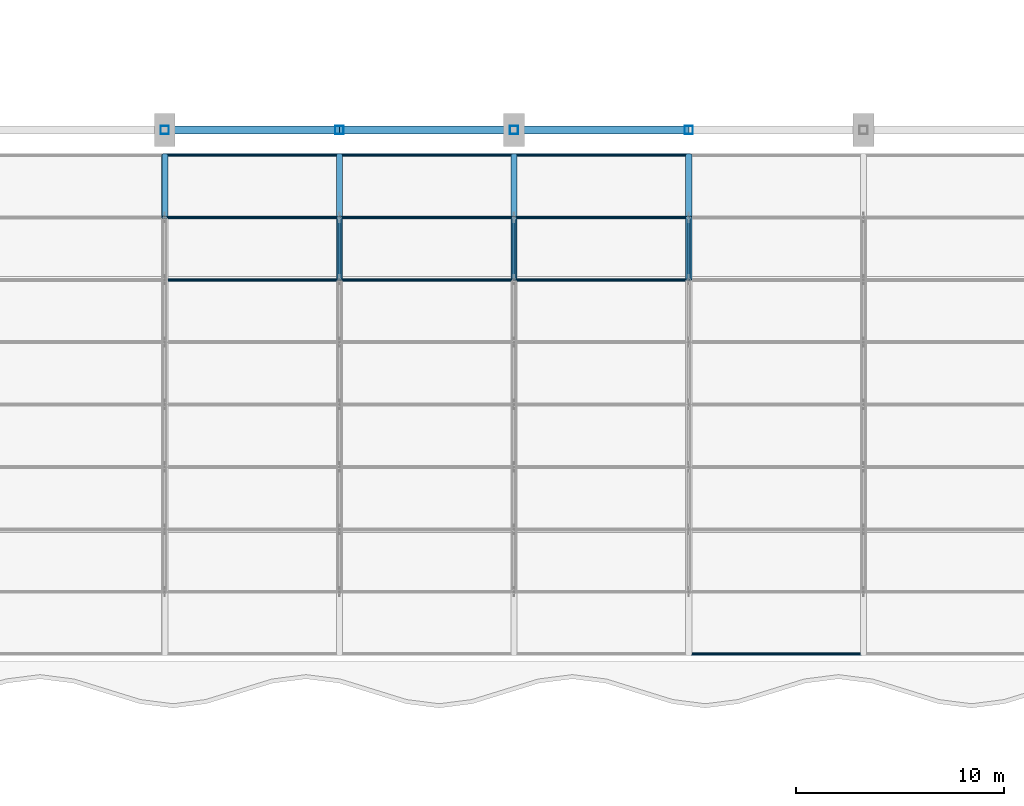
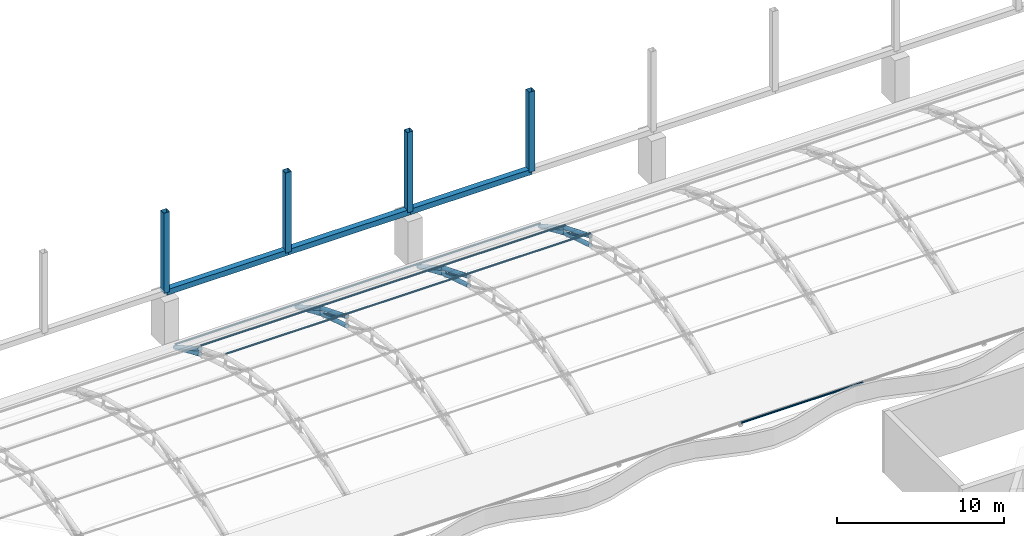
# One storey, part 50 of 163: 34 members.
"""IFC4 building model written with IfcOpenShell, lengths in metres."""

from ifc_helpers import new_model, si_unit, direction, frame, origin, origin_2d, place, context, subcontext, project, spatial, hollow_rectangle, hollow_circle, extrude, material, material_profile, profile_set, type_object, element, save


model = new_model("IFC4")

# Units and contexts
model_context = context("Model", 3, precision=1e-05, world=origin(), true_north=direction((0.0, 1.0)))
body_context = subcontext(model_context, "Body", "Model", "MODEL_VIEW")
ifc_project = project(units=[si_unit("LENGTHUNIT", "METRE"), si_unit("AREAUNIT", "SQUARE_METRE"), si_unit("VOLUMEUNIT", "CUBIC_METRE"), si_unit("PLANEANGLEUNIT", "RADIAN"), si_unit("MASSUNIT", "GRAM", prefix="KILO")], contexts=[model_context])

# Site, building, storey
site_placement = place(None, origin())
site = spatial("IfcSite", under=ifc_project, at=site_placement, CompositionType="ELEMENT")
building_placement = place(site_placement, origin())
building = spatial("IfcBuilding", under=site, at=building_placement, Name="Rain Tree Exposition and Congress Centre", CompositionType="ELEMENT")
storey_placement = place(building_placement, frame((0.0, 0.0, 10.5)))
storey = spatial("IfcBuildingStorey", under=building, at=storey_placement, Name="L02", CompositionType="ELEMENT", Elevation=10.5)

# Members
ifc_material_1 = material(Name="Steel S355J2H", Category="steel")
ifc_material_profile_1 = material_profile(ifc_material_1, hollow_circle(Radius=0.090087890625, WallThickness=0.008056640625, at=origin_2d()), Name="CHS 180x8")
ifc_profile_set_1 = profile_set([ifc_material_profile_1], Name="Steel S355J2H")
member_type_1 = type_object("IfcMemberType", Name="Steel brace member CHS 180x8", PredefinedType="BRACE", material=ifc_profile_set_1)
for number, where, z_axis, x_axis, name in (
    (1, (168.0, 96.60009765625, 1.4423828125), (0.0, -0.880818418444, 0.473454236151), (1.0, 0.0, 0.0), "Roof truss 21 diagonal 6"),
    (2, (176.39990234375, 96.60009765625, 1.4423828125), (0.0, -0.880818418444, 0.473454236151), (1.0, 0.0, 0.0), "Roof truss 22 diagonal 6"),
    (3, (184.800048828125, 96.60009765625, 1.4423828125), (0.0, -0.880818418444, 0.473454236151), (1.0, 0.0, 0.0), "Roof truss 23 diagonal 6"),
):
    element("IfcMember", number, at=place(storey_placement, frame(where, z_axis=z_axis, x_axis=x_axis)), inside=storey, type_object=member_type_1, Name=name, PredefinedType="BRACE", context=body_context, shape_type="SweptSolid", body=[
        extrude(hollow_circle(Radius=0.090087890625, WallThickness=0.008056640625, at=origin_2d()), origin(), (0.0, 0.0, 1.0), 3.406005859375),
    ])
ifc_material_2 = material(Name="Steel S355J2H", Category="steel")
ifc_material_profile_2 = material_profile(ifc_material_2, hollow_circle(Radius=0.14990234375, WallThickness=0.013916015625, at=origin_2d()), Name="CHS 300x14")
ifc_profile_set_2 = profile_set([ifc_material_profile_2], Name="Steel S355J2H")
member_type_2 = type_object("IfcMemberType", Name="Steel chord member CHS 300x14", PredefinedType="CHORD", material=ifc_profile_set_2)
member_1_placement = place(storey_placement, frame((159.60009765625, 96.60009765625, 1.836181640625), z_axis=(0.0, 0.869238262324, -0.494393409455), x_axis=(-1.0, 0.0, 0.0)))
element("IfcMember", 4, at=member_1_placement, inside=storey, type_object=member_type_2, Name="Roof truss 20 top chord 8", PredefinedType="CHORD", context=body_context, shape_type="SweptSolid", body=[
    extrude(hollow_circle(Radius=0.14990234375, WallThickness=0.013916015625, at=origin_2d()), origin(), (0.0, 0.0, 1.0), 3.451416015625),
])
member_2_placement = place(storey_placement, frame((159.60009765625, 96.60009765625, 1.4423828125), z_axis=(0.0, 0.916157334902, -0.40081883402), x_axis=(-1.0, 0.0, 0.0)))
element("IfcMember", 5, at=member_2_placement, inside=storey, type_object=member_type_2, Name="Roof truss 20 bottom chord 8", PredefinedType="CHORD", context=body_context, shape_type="SweptSolid", body=[
    extrude(hollow_circle(Radius=0.14990234375, WallThickness=0.013916015625, at=origin_2d()), origin(), (0.0, 0.0, 1.0), 3.274658203125),
])
member_3_placement = place(storey_placement, frame((168.0, 93.60009765625, 3.054931640625), z_axis=(0.0, 0.926466577122, -0.376377046956), x_axis=(-1.0, 0.0, 0.0)))
element("IfcMember", 6, at=member_3_placement, inside=storey, type_object=member_type_2, Name="Roof truss 21 top chord 7", PredefinedType="CHORD", context=body_context, shape_type="SweptSolid", body=[
    extrude(hollow_circle(Radius=0.14990234375, WallThickness=0.013916015625, at=origin_2d()), origin(), (0.0, 0.0, 1.0), 3.238037109375),
])
member_4_placement = place(storey_placement, frame((168.0, 93.60009765625, 2.3798828125), z_axis=(0.0, 0.954479978035, -0.298274993136), x_axis=(-1.0, 0.0, 0.0)))
element("IfcMember", 7, at=member_4_placement, inside=storey, type_object=member_type_2, Name="Roof truss 21 bottom chord 7", PredefinedType="CHORD", context=body_context, shape_type="SweptSolid", body=[
    extrude(hollow_circle(Radius=0.14990234375, WallThickness=0.013916015625, at=origin_2d()), origin(), (0.0, 0.0, 1.0), 3.14306640625),
])
member_5_placement = place(storey_placement, frame((168.0, 96.60009765625, 1.836181640625), z_axis=(0.0, 0.869238262324, -0.494393409455), x_axis=(-1.0, 0.0, 0.0)))
element("IfcMember", 8, at=member_5_placement, inside=storey, type_object=member_type_2, Name="Roof truss 21 top chord 8", PredefinedType="CHORD", context=body_context, shape_type="SweptSolid", body=[
    extrude(hollow_circle(Radius=0.14990234375, WallThickness=0.013916015625, at=origin_2d()), origin(), (0.0, 0.0, 1.0), 3.451416015625),
])
member_6_placement = place(storey_placement, frame((168.0, 96.60009765625, 1.4423828125), z_axis=(0.0, 0.916157334902, -0.40081883402), x_axis=(-1.0, 0.0, 0.0)))
element("IfcMember", 9, at=member_6_placement, inside=storey, type_object=member_type_2, Name="Roof truss 21 bottom chord 8", PredefinedType="CHORD", context=body_context, shape_type="SweptSolid", body=[
    extrude(hollow_circle(Radius=0.14990234375, WallThickness=0.013916015625, at=origin_2d()), origin(), (0.0, 0.0, 1.0), 3.274658203125),
])
member_7_placement = place(storey_placement, frame((176.39990234375, 93.60009765625, 3.054931640625), z_axis=(0.0, 0.926466577122, -0.376377046956), x_axis=(-1.0, 0.0, 0.0)))
element("IfcMember", 10, at=member_7_placement, inside=storey, type_object=member_type_2, Name="Roof truss 22 top chord 7", PredefinedType="CHORD", context=body_context, shape_type="SweptSolid", body=[
    extrude(hollow_circle(Radius=0.14990234375, WallThickness=0.013916015625, at=origin_2d()), origin(), (0.0, 0.0, 1.0), 3.238037109375),
])
member_8_placement = place(storey_placement, frame((176.39990234375, 93.60009765625, 2.3798828125), z_axis=(0.0, 0.954479978035, -0.298274993136), x_axis=(-1.0, 0.0, 0.0)))
element("IfcMember", 11, at=member_8_placement, inside=storey, type_object=member_type_2, Name="Roof truss 22 bottom chord 7", PredefinedType="CHORD", context=body_context, shape_type="SweptSolid", body=[
    extrude(hollow_circle(Radius=0.14990234375, WallThickness=0.013916015625, at=origin_2d()), origin(), (0.0, 0.0, 1.0), 3.14306640625),
])
member_9_placement = place(storey_placement, frame((176.39990234375, 96.60009765625, 1.836181640625), z_axis=(0.0, 0.869238262324, -0.494393409455), x_axis=(-1.0, 0.0, 0.0)))
element("IfcMember", 12, at=member_9_placement, inside=storey, type_object=member_type_2, Name="Roof truss 22 top chord 8", PredefinedType="CHORD", context=body_context, shape_type="SweptSolid", body=[
    extrude(hollow_circle(Radius=0.14990234375, WallThickness=0.013916015625, at=origin_2d()), origin(), (0.0, 0.0, 1.0), 3.451416015625),
])
member_10_placement = place(storey_placement, frame((176.39990234375, 96.60009765625, 1.4423828125), z_axis=(0.0, 0.916157334902, -0.40081883402), x_axis=(-1.0, 0.0, 0.0)))
element("IfcMember", 13, at=member_10_placement, inside=storey, type_object=member_type_2, Name="Roof truss 22 bottom chord 8", PredefinedType="CHORD", context=body_context, shape_type="SweptSolid", body=[
    extrude(hollow_circle(Radius=0.14990234375, WallThickness=0.013916015625, at=origin_2d()), origin(), (0.0, 0.0, 1.0), 3.274658203125),
])
member_11_placement = place(storey_placement, frame((184.800048828125, 93.60009765625, 3.054931640625), z_axis=(0.0, 0.926466577122, -0.376377046956), x_axis=(-1.0, 0.0, 0.0)))
element("IfcMember", 14, at=member_11_placement, inside=storey, type_object=member_type_2, Name="Roof truss 23 top chord 7", PredefinedType="CHORD", context=body_context, shape_type="SweptSolid", body=[
    extrude(hollow_circle(Radius=0.14990234375, WallThickness=0.013916015625, at=origin_2d()), origin(), (0.0, 0.0, 1.0), 3.238037109375),
])
member_12_placement = place(storey_placement, frame((184.800048828125, 93.60009765625, 2.3798828125), z_axis=(0.0, 0.954479978035, -0.298274993136), x_axis=(-1.0, 0.0, 0.0)))
element("IfcMember", 15, at=member_12_placement, inside=storey, type_object=member_type_2, Name="Roof truss 23 bottom chord 7", PredefinedType="CHORD", context=body_context, shape_type="SweptSolid", body=[
    extrude(hollow_circle(Radius=0.14990234375, WallThickness=0.013916015625, at=origin_2d()), origin(), (0.0, 0.0, 1.0), 3.14306640625),
])
member_13_placement = place(storey_placement, frame((184.800048828125, 96.60009765625, 1.836181640625), z_axis=(0.0, 0.869238262324, -0.494393409455), x_axis=(-1.0, 0.0, 0.0)))
element("IfcMember", 16, at=member_13_placement, inside=storey, type_object=member_type_2, Name="Roof truss 23 top chord 8", PredefinedType="CHORD", context=body_context, shape_type="SweptSolid", body=[
    extrude(hollow_circle(Radius=0.14990234375, WallThickness=0.013916015625, at=origin_2d()), origin(), (0.0, 0.0, 1.0), 3.451416015625),
])
member_14_placement = place(storey_placement, frame((184.800048828125, 96.60009765625, 1.4423828125), z_axis=(0.0, 0.916157334902, -0.40081883402), x_axis=(-1.0, 0.0, 0.0)))
element("IfcMember", 17, at=member_14_placement, inside=storey, type_object=member_type_2, Name="Roof truss 23 bottom chord 8", PredefinedType="CHORD", context=body_context, shape_type="SweptSolid", body=[
    extrude(hollow_circle(Radius=0.14990234375, WallThickness=0.013916015625, at=origin_2d()), origin(), (0.0, 0.0, 1.0), 3.274658203125),
])
ifc_material_3 = material(Name="Steel S355J2H", Category="steel")
ifc_material_profile_3 = material_profile(ifc_material_3, hollow_rectangle(XDim=0.39990234375, YDim=0.39990234375, WallThickness=0.011962890625, at=origin_2d()), Name="RHS 400x400x12")
ifc_profile_set_3 = profile_set([ifc_material_profile_3], Name="Steel S355J2H")
member_type_3 = type_object("IfcMemberType", Name="Steel chord member RHS 400x400x12", PredefinedType="CHORD", material=ifc_profile_set_3)
for number, where, z_axis, x_axis, name in (
    (18, (159.60009765625, 100.800048828125, 3.5), (1.0, 0.0, 0.0), (0.0, 1.0, 0.0), "Eaves chord 1155"),
    (19, (168.0, 100.800048828125, 3.5), (1.0, 0.0, 0.0), (0.0, 1.0, 0.0), "Eaves chord 1156"),
):
    element("IfcMember", number, at=place(storey_placement, frame(where, z_axis=z_axis, x_axis=x_axis)), inside=storey, type_object=member_type_3, Name=name, PredefinedType="CHORD", context=body_context, shape_type="SweptSolid", body=[
        extrude(hollow_rectangle(XDim=0.39990234375, YDim=0.39990234375, WallThickness=0.011962890625, at=origin_2d()), origin(), (0.0, 0.0, 1.0), 8.39990234375),
    ])
member_15_placement = place(storey_placement, frame((176.39990234375, 100.800048828125, 3.5), z_axis=(1.0, 0.0, 0.0), x_axis=(0.0, 1.0, 0.0)))
element("IfcMember", 20, at=member_15_placement, inside=storey, type_object=member_type_3, Name="Eaves chord 1157", PredefinedType="CHORD", context=body_context, shape_type="SweptSolid", body=[
    extrude(hollow_rectangle(XDim=0.39990234375, YDim=0.39990234375, WallThickness=0.011962890625, at=origin_2d()), origin(), (0.0, 0.0, 1.0), 8.400146484375),
])
ifc_material_4 = material(Name="Steel S355J2H", Category="steel")
ifc_material_profile_4 = material_profile(ifc_material_4, hollow_rectangle(XDim=0.39990234375, YDim=0.39990234375, WallThickness=0.011962890625, at=origin_2d()), Name="RHS 400x400x12")
ifc_profile_set_4 = profile_set([ifc_material_profile_4], Name="Steel S355J2H")
member_type_4 = type_object("IfcMemberType", Name="Steel post member RHS 400x400x12", PredefinedType="POST", material=ifc_profile_set_4)
for number, where, z_axis, x_axis, name in (
    (21, (159.60009765625, 100.800048828125, 3.5), (0.0, 0.0, 1.0), (1.0, 0.0, 0.0), "Eaves post 1167"),
    (22, (168.0, 100.800048828125, 3.5), (0.0, 0.0, 1.0), (1.0, 0.0, 0.0), "Eaves post 1168"),
    (23, (176.39990234375, 100.800048828125, 3.5), (0.0, 0.0, 1.0), (1.0, 0.0, 0.0), "Eaves post 1169"),
    (24, (184.800048828125, 100.800048828125, 3.5), (0.0, 0.0, 1.0), (1.0, 0.0, 0.0), "Eaves post 1170"),
):
    element("IfcMember", number, at=place(storey_placement, frame(where, z_axis=z_axis, x_axis=x_axis)), inside=storey, type_object=member_type_4, Name=name, PredefinedType="POST", context=body_context, shape_type="SweptSolid", body=[
        extrude(hollow_rectangle(XDim=0.39990234375, YDim=0.39990234375, WallThickness=0.011962890625, at=origin_2d()), origin(), (0.0, 0.0, 1.0), 5.85009765625),
    ])
ifc_material_5 = material(Name="Steel S355J2H", Category="steel")
ifc_material_profile_5 = material_profile(ifc_material_5, hollow_circle(Radius=0.070068359375, WallThickness=0.006103515625, at=origin_2d()), Name="CHS 140x6")
ifc_profile_set_5 = profile_set([ifc_material_profile_5], Name="Steel S355J2H")
member_type_5 = type_object("IfcMemberType", Name="Steel purlin member CHS 140x6", PredefinedType="PURLIN", material=ifc_profile_set_5)
for number, where, z_axis, x_axis, name in (
    (25, (184.800048828125, 75.60009765625, 0.35009765625), (1.0, 0.0, 0.0), (0.0, 1.0, 0.0), "Roof purlin 1.23"),
    (26, (159.60009765625, 93.60009765625, 3.27490234375), (1.0, 0.0, 0.0), (0.0, 1.0, 0.0), "Roof purlin 7.20"),
    (27, (168.0, 93.60009765625, 3.27490234375), (1.0, 0.0, 0.0), (0.0, 1.0, 0.0), "Roof purlin 7.21"),
):
    element("IfcMember", number, at=place(storey_placement, frame(where, z_axis=z_axis, x_axis=x_axis)), inside=storey, type_object=member_type_5, Name=name, PredefinedType="PURLIN", context=body_context, shape_type="SweptSolid", body=[
        extrude(hollow_circle(Radius=0.070068359375, WallThickness=0.006103515625, at=origin_2d()), origin(), (0.0, 0.0, 1.0), 8.39990234375),
    ])
member_16_placement = place(storey_placement, frame((176.39990234375, 93.60009765625, 3.27490234375), z_axis=(1.0, 0.0, 0.0), x_axis=(0.0, 1.0, 0.0)))
element("IfcMember", 28, at=member_16_placement, inside=storey, type_object=member_type_5, Name="Roof purlin 7.22", PredefinedType="PURLIN", context=body_context, shape_type="SweptSolid", body=[
    extrude(hollow_circle(Radius=0.070068359375, WallThickness=0.006103515625, at=origin_2d()), origin(), (0.0, 0.0, 1.0), 8.400146484375),
])
for number, where, z_axis, x_axis, name in (
    (29, (159.60009765625, 96.60009765625, 2.056396484375), (1.0, 0.0, 0.0), (0.0, 1.0, 0.0), "Roof purlin 8.20"),
    (30, (168.0, 96.60009765625, 2.056396484375), (1.0, 0.0, 0.0), (0.0, 1.0, 0.0), "Roof purlin 8.21"),
):
    element("IfcMember", number, at=place(storey_placement, frame(where, z_axis=z_axis, x_axis=x_axis)), inside=storey, type_object=member_type_5, Name=name, PredefinedType="PURLIN", context=body_context, shape_type="SweptSolid", body=[
        extrude(hollow_circle(Radius=0.070068359375, WallThickness=0.006103515625, at=origin_2d()), origin(), (0.0, 0.0, 1.0), 8.39990234375),
    ])
member_17_placement = place(storey_placement, frame((176.39990234375, 96.60009765625, 2.056396484375), z_axis=(1.0, 0.0, 0.0), x_axis=(0.0, 1.0, 0.0)))
element("IfcMember", 31, at=member_17_placement, inside=storey, type_object=member_type_5, Name="Roof purlin 8.22", PredefinedType="PURLIN", context=body_context, shape_type="SweptSolid", body=[
    extrude(hollow_circle(Radius=0.070068359375, WallThickness=0.006103515625, at=origin_2d()), origin(), (0.0, 0.0, 1.0), 8.400146484375),
])
for number, where, z_axis, x_axis, name in (
    (32, (159.60009765625, 99.60009765625, 0.35009765625), (1.0, 0.0, 0.0), (0.0, 1.0, 0.0), "Roof purlin 9.20"),
    (33, (168.0, 99.60009765625, 0.35009765625), (1.0, 0.0, 0.0), (0.0, 1.0, 0.0), "Roof purlin 9.21"),
):
    element("IfcMember", number, at=place(storey_placement, frame(where, z_axis=z_axis, x_axis=x_axis)), inside=storey, type_object=member_type_5, Name=name, PredefinedType="PURLIN", context=body_context, shape_type="SweptSolid", body=[
        extrude(hollow_circle(Radius=0.070068359375, WallThickness=0.006103515625, at=origin_2d()), origin(), (0.0, 0.0, 1.0), 8.39990234375),
    ])
member_18_placement = place(storey_placement, frame((176.39990234375, 99.60009765625, 0.35009765625), z_axis=(1.0, 0.0, 0.0), x_axis=(0.0, 1.0, 0.0)))
element("IfcMember", 34, at=member_18_placement, inside=storey, type_object=member_type_5, Name="Roof purlin 9.22", PredefinedType="PURLIN", context=body_context, shape_type="SweptSolid", body=[
    extrude(hollow_circle(Radius=0.070068359375, WallThickness=0.006103515625, at=origin_2d()), origin(), (0.0, 0.0, 1.0), 8.400146484375),
])

save(model, "model.ifc")
